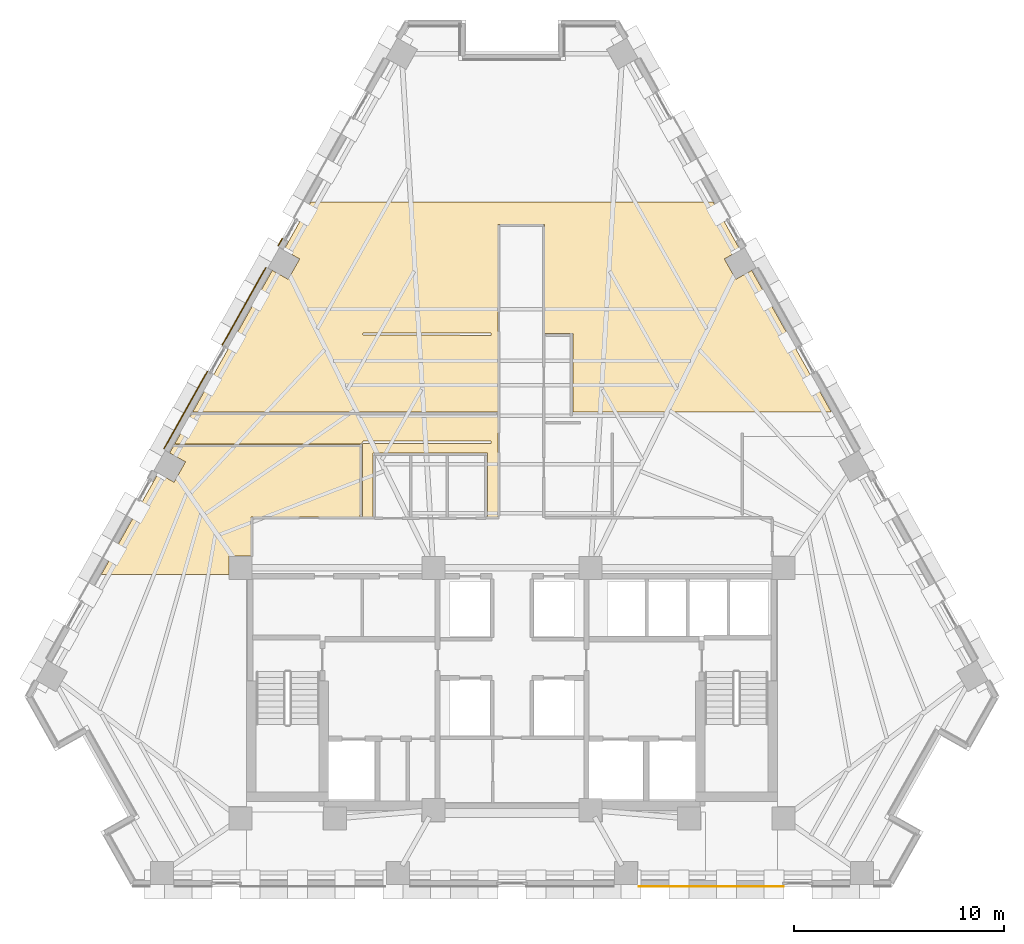
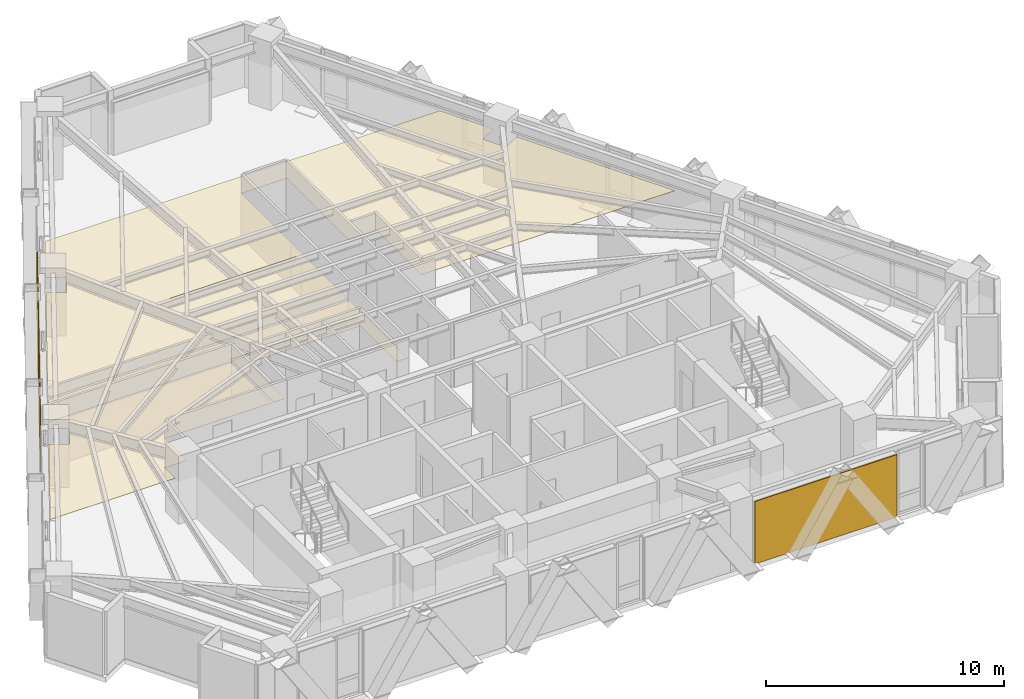
# One storey, part 11 of 13: 7 coverings.
"""IFC4 building model written with IfcOpenShell, lengths in metres."""

from ifc_helpers import new_model, si_unit, direction, frame, origin, place, context, subcontext, project, spatial, polyline, outline, extrude, material, layer, layer_set, type_object, element, save


model = new_model("IFC4")

# Units and contexts
model_context = context("Model", 3, precision=1e-05, world=origin(), true_north=direction((0.0, 1.0)))
body_context = subcontext(model_context, "Body", "Model", "MODEL_VIEW")
ifc_project = project(units=[si_unit("LENGTHUNIT", "METRE"), si_unit("AREAUNIT", "SQUARE_METRE"), si_unit("VOLUMEUNIT", "CUBIC_METRE"), si_unit("PLANEANGLEUNIT", "RADIAN"), si_unit("MASSUNIT", "GRAM", prefix="KILO")], contexts=[model_context])

# Site, building, storey
site_placement = place(None, origin())
site = spatial("IfcSite", under=ifc_project, at=site_placement, CompositionType="ELEMENT")
building_placement = place(site_placement, origin())
building = spatial("IfcBuilding", under=site, at=building_placement, Name="Quenlor Broadcast Tower", CompositionType="ELEMENT")
storey_placement = place(building_placement, frame((0.0, 0.0, 105.5)))
storey = spatial("IfcBuildingStorey", under=building, at=storey_placement, Name="L28", CompositionType="ELEMENT", Elevation=105.5)

# Coverings
ifc_material_1 = material(Name="Acoustic Mineral Fibre Board", Category="other")
ifc_layer_1 = layer(ifc_material_1, 0.02490234375)
ifc_layer_set_1 = layer_set([ifc_layer_1], Name="Acoustic Perforated Mineral Tile Ceiling 25")
covering_type_1 = type_object("IfcCoveringType", Name="Acoustic Perforated Mineral Tile Ceiling 25", PredefinedType="CEILING", material=ifc_layer_set_1)
covering_1_placement = place(storey_placement, frame((0.0, 0.0, 2.22509765625)))
element("IfcCovering", 1, at=covering_1_placement, inside=storey, type_object=covering_type_1, Name="L28 Acoustic Ceiling L28-29", PredefinedType="CEILING", context=body_context, shape_type="SweptSolid", body=[
    extrude(outline(polyline([(2.922607421875, 6.320068359375), (2.91650390625, 6.33642578125), (2.91064453125, 6.365234375), (1.5400390625, 6.3798828125), (1.5400390625, 11.580078125), (-0.659912109375, 11.580078125), (-0.659912109375, 2.632080078125), (-15.2294921875, 2.632080078125), (-13.177734375, 6.279296875), (-11.4306640625, 9.38525390625), (-10.674072265625, 8.959716796875), (-10.126953125, 9.9326171875), (-10.883544921875, 10.35791015625), (-9.59423828125, 12.64990234375), (9.59423828125, 12.64990234375), (10.883544921875, 10.35791015625), (10.126953125, 9.9326171875), (10.674072265625, 8.959716796875), (11.4306640625, 9.38525390625), (13.502197265625, 5.70263671875), (15.2294921875, 2.632080078125), (2.909912109375, 2.632080078125), (2.91064453125, 6.274658203125), (2.91650390625, 6.303466796875), (2.922607421875, 6.320068359375)]), holes=[polyline([(-7.110595703125, 6.3046875), (-1.0, 6.2900390625), (-1.0, 6.409912109375), (-7.110107421875, 6.409912109375), (-7.11279296875, 6.380615234375), (-7.121337890625, 6.3525390625), (-7.116455078125, 6.33349609375), (-7.110595703125, 6.3046875)])]), origin(), (0.0, 0.0, 1.0), 0.02490234375),
])
covering_2_placement = place(storey_placement, frame((0.0, 0.0, 2.22509765625)))
element("IfcCovering", 2, at=covering_2_placement, inside=storey, type_object=covering_type_1, Name="L28 Acoustic Ceiling L28-31", PredefinedType="CEILING", context=body_context, shape_type="SweptSolid", body=[
    extrude(outline(polyline([(-6.6201171875, 0.669921875), (-6.6201171875, -2.3701171875), (-7.139892578125, -2.3701171875), (-7.139892578125, 1.139892578125), (-1.0, 1.139892578125), (-1.0, 1.260009765625), (-7.110107421875, 1.260009765625), (-7.11279296875, 1.230712890625), (-7.121337890625, 1.20263671875), (-7.13525390625, 1.1767578125), (-7.15380859375, 1.15380859375), (-7.1767578125, 1.13525390625), (-7.20263671875, 1.121337890625), (-7.230712890625, 1.11279296875), (-7.260009765625, 1.110107421875), (-16.001220703125, 1.110107421875), (-16.03076171875, 1.11279296875), (-16.05908203125, 1.12158203125), (-16.07470703125, 1.12939453125), (-15.296875, 2.511962890625), (-0.659912109375, 2.511962890625), (-0.659912109375, -2.3701171875), (-1.179931640625, -2.3701171875), (-1.179931640625, 0.669921875), (-6.6201171875, 0.669921875)])), origin(), (0.0, 0.0, 1.0), 0.02490234375),
])
covering_3_placement = place(storey_placement, frame((0.0, 0.0, 2.22509765625)))
element("IfcCovering", 3, at=covering_3_placement, inside=storey, type_object=covering_type_1, Name="L28 Acoustic Ceiling L28-36", PredefinedType="CEILING", context=body_context, shape_type="SweptSolid", body=[
    extrude(outline(polyline([(-16.873779296875, -0.29150390625), (-16.1171875, -0.717041015625), (-15.5703125, 0.255615234375), (-16.32666015625, 0.68115234375), (-16.068603515625, 1.139892578125), (-7.260009765625, 1.139892578125), (-7.260009765625, -2.3701171875), (-12.43994140625, -2.3701171875), (-12.43994140625, -4.241943359375), (-13.508056640625, -4.241943359375), (-13.508056640625, -5.1201171875), (-19.58984375, -5.1201171875), (-16.873779296875, -0.29150390625)])), origin(), (0.0, 0.0, 1.0), 0.02490234375),
])
ifc_material_2 = material(Name="Architectural Terracotta Ceramic", Category="masonry")
ifc_layer_2 = layer(ifc_material_2, 0.044921875)
ifc_layer_set_2 = layer_set([ifc_layer_2], Name="Fluted Terracotta Rainscreen Cladding Panel")
covering_type_2 = type_object("IfcCoveringType", Name="Fluted Terracotta Rainscreen Cladding Panel", PredefinedType="CLADDING", material=ifc_layer_set_2)
covering_4_placement = place(storey_placement, frame((0.0, 0.0, 0.02001953125)))
element("IfcCovering", 4, at=covering_4_placement, inside=storey, type_object=covering_type_2, Name="L28 Terracotta Rainscreen Cladding L28-SA-SP2", PredefinedType="CLADDING", context=body_context, shape_type="SweptSolid", body=[
    extrude(outline(polyline([(12.94873046875, -19.971923828125), (6.048095703125, -19.971923828125), (6.048095703125, -20.01708984375), (12.94873046875, -20.01708984375), (12.94873046875, -19.971923828125)])), origin(), (0.0, 0.0, 1.0), 3.2099609375),
])
covering_5_placement = place(storey_placement, frame((0.0, 0.0, 0.02001953125)))
element("IfcCovering", 5, at=covering_5_placement, inside=storey, type_object=covering_type_2, Name="L28 Terracotta Rainscreen Cladding L28-NWC-SP1", PredefinedType="CLADDING", context=body_context, shape_type="SweptSolid", body=[
    extrude(outline(polyline([(-11.13232421875, 10.552001953125), (-10.936279296875, 10.900634765625), (-10.9755859375, 10.922607421875), (-11.171630859375, 10.57421875), (-11.13232421875, 10.552001953125)])), origin(), (0.0, 0.0, 1.0), 3.2099609375),
])
covering_6_placement = place(storey_placement, frame((0.0, 0.0, 0.02001953125)))
element("IfcCovering", 6, at=covering_6_placement, inside=storey, type_object=covering_type_2, Name="L28 Terracotta Rainscreen Cladding L28-NW-SP1", PredefinedType="CLADDING", context=body_context, shape_type="SweptSolid", body=[
    extrude(outline(polyline([(-16.577880859375, 0.870849609375), (-14.499755859375, 4.565673828125), (-14.538818359375, 4.587646484375), (-16.6171875, 0.892822265625), (-16.577880859375, 0.870849609375)])), origin(), (0.0, 0.0, 1.0), 3.2099609375),
])
covering_7_placement = place(storey_placement, frame((0.0, 0.0, 0.02001953125)))
element("IfcCovering", 7, at=covering_7_placement, inside=storey, type_object=covering_type_2, Name="L28 Terracotta Rainscreen Cladding L28-NW-SP2", PredefinedType="CLADDING", context=body_context, shape_type="SweptSolid", body=[
    extrude(outline(polyline([(-13.801513671875, 5.806884765625), (-11.72314453125, 9.501708984375), (-11.76220703125, 9.523681640625), (-13.8408203125, 5.8291015625), (-13.801513671875, 5.806884765625)])), origin(), (0.0, 0.0, 1.0), 3.2099609375),
])

save(model, "model.ifc")
